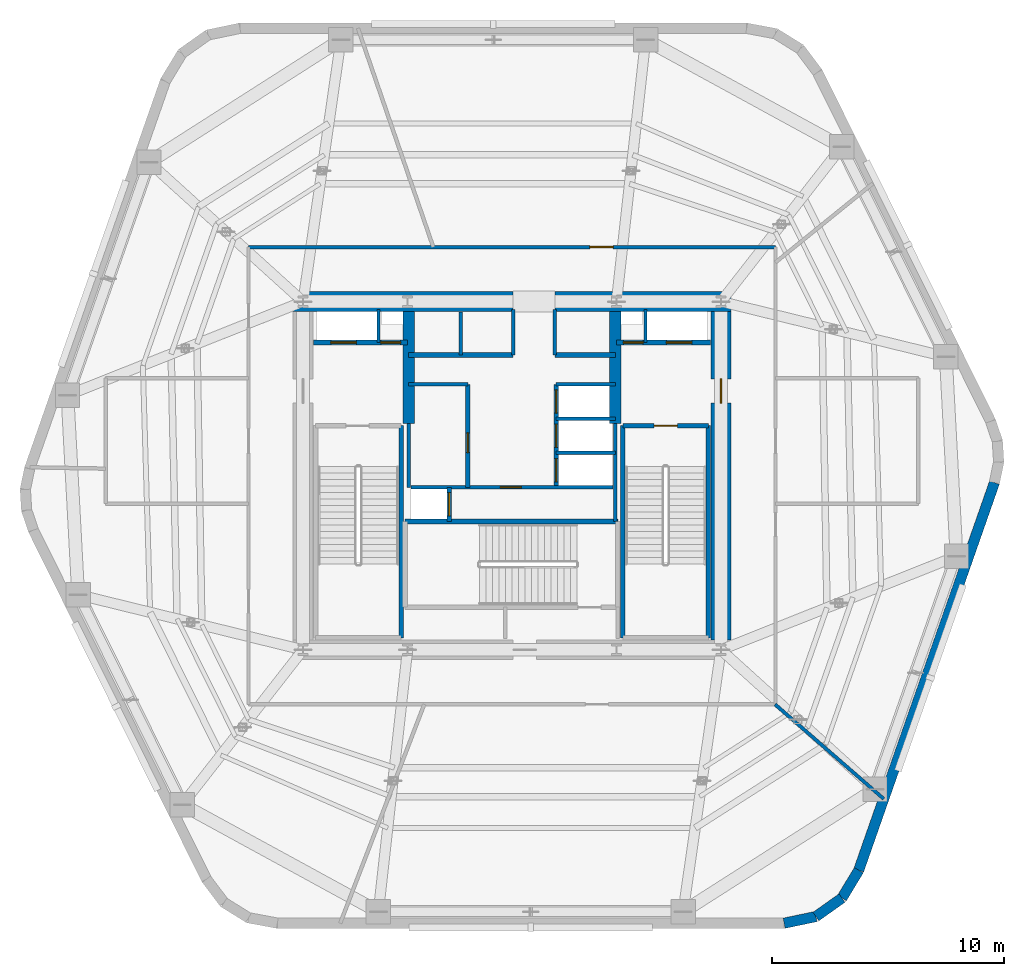
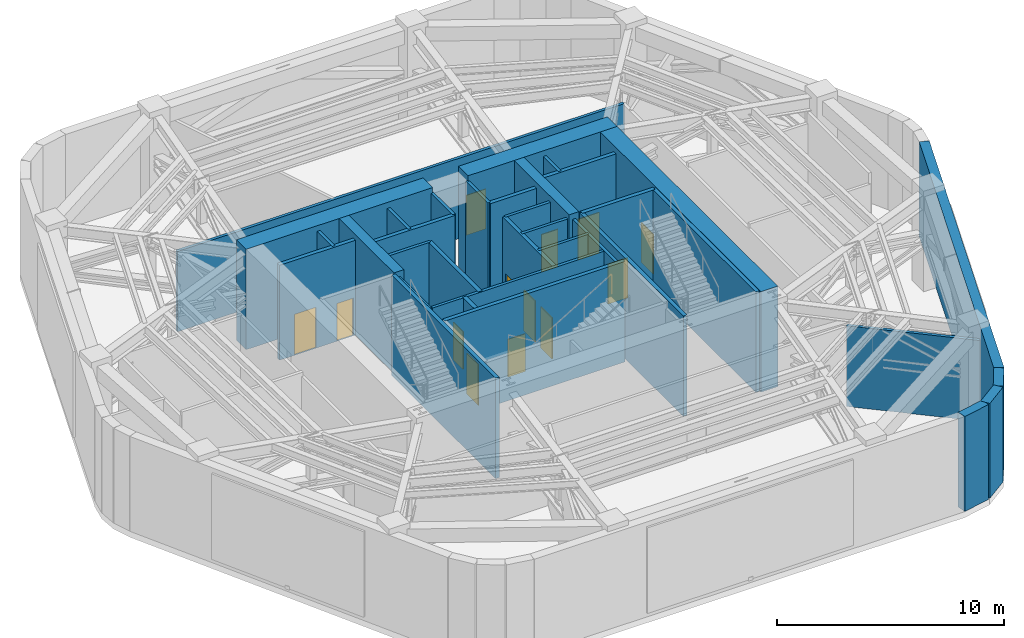
# One storey, part 6 of 10: 35 walls, 13 doors, 13 openings.
"""IFC4 building model written with IfcOpenShell, lengths in metres."""

from ifc_helpers import new_model, si_unit, direction, frame, frame_2d, origin, place, context, subcontext, project, spatial, rectangle, extrude, material, layer, layer_set, type_object, element, fill, save


model = new_model("IFC4")

# Units and contexts
model_context = context("Model", 3, precision=1e-05, world=origin(), true_north=direction((0.0, 1.0)))
body_context = subcontext(model_context, "Body", "Model", "MODEL_VIEW")
ifc_project = project(units=[si_unit("LENGTHUNIT", "METRE"), si_unit("AREAUNIT", "SQUARE_METRE"), si_unit("VOLUMEUNIT", "CUBIC_METRE"), si_unit("PLANEANGLEUNIT", "RADIAN"), si_unit("MASSUNIT", "GRAM", prefix="KILO")], contexts=[model_context])

# Site, building, storey
site_placement = place(None, origin())
site = spatial("IfcSite", under=ifc_project, at=site_placement, CompositionType="ELEMENT")
building_placement = place(site_placement, origin())
building = spatial("IfcBuilding", under=site, at=building_placement, Name="Kilnhurst Terrace Hotel", CompositionType="ELEMENT")
storey_placement = place(building_placement, frame((0.0, 0.0, 170.199951171875)))
storey = spatial("IfcBuildingStorey", under=building, at=storey_placement, Name="L42", CompositionType="ELEMENT", Elevation=170.199951171875)

# Walls
ifc_material_1 = material(Name="Precast concrete C40/50", Category="concrete")
ifc_layer_1 = layer(ifc_material_1, 0.449951171875, Name="Precast concrete C40/50")
ifc_layer_set_1 = layer_set([ifc_layer_1], Name="Precast concrete C40/50")
wall_type_1 = type_object("IfcWallType", Name="WL-BRK-450", PredefinedType="SOLIDWALL", material=ifc_layer_set_1)
wall_1_placement = place(storey_placement, frame((11.720458984375, -19.27490234375, 0.0), z_axis=(0.0, 0.0, 1.0), x_axis=(0.97893106758, 0.204191001093, 0.0)))
element("IfcWall", 1, at=wall_1_placement, inside=storey, type_object=wall_type_1, Name="L42 Rounded Corner Brick Wall C2.1", PredefinedType="SOLIDWALL", context=body_context, shape_type="SweptSolid", body=[
    extrude(rectangle(XDim=1.400146484375, YDim=0.449951171875, at=frame_2d((0.7001953125, 0.0))), origin(), (0.0, 0.0, 1.0), 5.10009765625),
])
wall_2_placement = place(storey_placement, frame((13.091064453125, -18.989013671875, 0.0), z_axis=(0.0, 0.0, 1.0), x_axis=(0.815574637848, 0.578651890258, 0.0)))
element("IfcWall", 2, at=wall_2_placement, inside=storey, type_object=wall_type_1, Name="L42 Rounded Corner Brick Wall C2.2", PredefinedType="SOLIDWALL", context=body_context, shape_type="SweptSolid", body=[
    extrude(rectangle(XDim=1.376708984375, YDim=0.449951171875, at=frame_2d((0.6884765625, 0.0))), origin(), (0.0, 0.0, 1.0), 5.10009765625),
])
wall_3_placement = place(storey_placement, frame((14.2138671875, -18.1923828125, 0.0), z_axis=(0.0, 0.0, 1.0), x_axis=(0.516340945502, 0.856383108193, 0.0)))
element("IfcWall", 3, at=wall_3_placement, inside=storey, type_object=wall_type_1, Name="L42 Rounded Corner Brick Wall C2.3", PredefinedType="SOLIDWALL", context=body_context, shape_type="SweptSolid", body=[
    extrude(rectangle(XDim=1.400146484375, YDim=0.449951171875, at=frame_2d((0.7001953125, 0.0))), origin(), (0.0, 0.0, 1.0), 5.10009765625),
])
wall_4_placement = place(storey_placement, frame((14.936767578125, -16.993408203125, 0.0), z_axis=(0.0, 0.0, 1.0), x_axis=(0.330431575061, 0.943829949834, 0.0)))
element("IfcWall", 4, at=wall_4_placement, inside=storey, type_object=wall_type_1, Name="L42 Exterior Brick Facade Wall F2", PredefinedType="SOLIDWALL", context=body_context, shape_type="SweptSolid", body=[
    extrude(rectangle(XDim=17.68896484375, YDim=0.449951171875, at=frame_2d((8.844482421875, 0.0))), origin(), (0.0, 0.0, 1.0), 5.10009765625),
])

# Wall, opening, door
ifc_material_2 = material(Name="Acoustic Double-Gypsum Corridor Partition Assembly")
ifc_layer_2 = layer(ifc_material_2, 0.14990234375, Name="Acoustic Double-Gypsum Corridor Partition Assembly")
ifc_layer_set_2 = layer_set([ifc_layer_2], Name="Acoustic Double-Gypsum Corridor Partition Assembly")
wall_type_2 = type_object("IfcWallType", Name="WL-COR-150", PredefinedType="PARTITIONING", material=ifc_layer_set_2)
wall_5_placement = place(storey_placement, frame((-11.35009765625, 9.85009765625, 0.0), z_axis=(0.0, 0.0, 1.0), x_axis=(1.0, 0.0, 0.0)))
wall_5 = element("IfcWall", 5, at=wall_5_placement, inside=storey, type_object=wall_type_2, Name="L42 Interior Wall WL-L42-COR-02", PredefinedType="PARTITIONING", context=body_context, shape_type="SweptSolid", body=[
    extrude(rectangle(XDim=22.7001953125, YDim=0.14990234375, at=frame_2d((11.35009765625, 0.0))), origin(), (0.0, 0.0, 1.0), 4.31640625),
])
opening_1_placement = place(wall_5_placement, frame((14.701904296875, 0.0, 0.0)))
opening_1 = element("IfcOpeningElement", 6, at=opening_1_placement, cuts=wall_5, Name="Opening D-90B", PredefinedType="OPENING", context=body_context, shape_type="SweptSolid", body=[
    extrude(rectangle(XDim=1.0, YDim=2.14990234375, at=frame_2d((0.5, 1.074951171875))), frame((0.0, 0.0849609375, 0.0), z_axis=(0.0, -1.0, 0.0), x_axis=(1.0, 0.0, 0.0)), (0.0, 0.0, 1.0), 0.169921875),
])
ifc_material_3 = material(Name="Painted Hollow Metal Steel ASTM A36 Fire Door", Category="steel")
door_type_1 = type_object("IfcDoorType", Name="DR-FD90-1000", OperationType="NOTDEFINED", PredefinedType="DOOR", material=ifc_material_3)
door_1_placement = place(opening_1_placement, origin())
door_1 = element("IfcDoor", 7, at=door_1_placement, inside=storey, type_object=door_type_1, Name="L42 Chiller and Cooling Heat Exchanger Plant Room Door", OperationType="SINGLE_SWING_LEFT", OverallHeight=2.14990234375, OverallWidth=1.0, PredefinedType="DOOR", context=body_context, shape_type="SweptSolid", body=[
    extrude(rectangle(XDim=1.0, YDim=2.14990234375, at=frame_2d((0.5, 1.074951171875))), frame((0.0, 0.02490234375, 0.0), z_axis=(0.0, -1.0, 0.0), x_axis=(1.0, 0.0, 0.0)), (0.0, 0.0, 1.0), 0.050048828125),
])
fill(opening_1, door_1)

# Walls
wall_6_placement = place(storey_placement, frame((11.3310546875, -9.85009765625, 0.0), z_axis=(0.0, 0.0, 1.0), x_axis=(0.754718202942, -0.656049109555, 0.0)))
element("IfcWall", 8, at=wall_6_placement, inside=storey, type_object=wall_type_2, Name="L42 Interior Wall WL-L42-PDIV-5-1", PredefinedType="PARTITIONING", context=body_context, shape_type="SweptSolid", body=[
    extrude(rectangle(XDim=6.203125, YDim=0.14990234375, at=frame_2d((3.1015625, 0.0))), origin(), (0.0, 0.0, 1.0), 4.340087890625),
])
ifc_material_4 = material(Name="Concrete C80/95", Category="concrete")
ifc_layer_3 = layer(ifc_material_4, 0.85009765625, Name="Concrete C80/95")
ifc_layer_set_3 = layer_set([ifc_layer_3], Name="Concrete C80/95")
wall_type_3 = type_object("IfcWallType", Name="WL-CORE-850", PredefinedType="SHEAR", material=ifc_layer_set_3)
wall_7_placement = place(storey_placement, frame((-9.425048828125, 7.5, 0.0), z_axis=(0.0, 0.0, 1.0), x_axis=(1.0, 0.0, 0.0)))
element("IfcWall", 9, at=wall_7_placement, inside=storey, type_object=wall_type_3, Name="L42 Core North West Shear Wall", PredefinedType="SHEAR", context=body_context, shape_type="SweptSolid", body=[
    extrude(rectangle(XDim=9.47509765625, YDim=0.85009765625, at=frame_2d((4.737548828125, 0.0))), origin(), (0.0, 0.0, 1.0), 5.400146484375),
])
wall_8_placement = place(storey_placement, frame((1.85009765625, 7.5, 0.0), z_axis=(0.0, 0.0, 1.0), x_axis=(1.0, 0.0, 0.0)))
element("IfcWall", 10, at=wall_8_placement, inside=storey, type_object=wall_type_3, Name="L42 Core North East Shear Wall", PredefinedType="SHEAR", context=body_context, shape_type="SweptSolid", body=[
    extrude(rectangle(XDim=7.574951171875, YDim=0.85009765625, at=frame_2d((3.78759765625, 0.0))), origin(), (0.0, 0.0, 1.0), 5.400146484375),
])

# Wall, opening, door
wall_9_placement = place(storey_placement, frame((9.0, -7.074951171875, 0.0), z_axis=(0.0, 0.0, 1.0), x_axis=(0.0, 1.0, 0.0)))
wall_9 = element("IfcWall", 11, at=wall_9_placement, inside=storey, type_object=wall_type_3, Name="L42 Core East Shear Wall", PredefinedType="SHEAR", context=body_context, shape_type="SweptSolid", body=[
    extrude(rectangle(XDim=14.14990234375, YDim=0.85009765625, at=frame_2d((7.074951171875, 0.0))), origin(), (0.0, 0.0, 1.0), 5.400146484375),
])
opening_2_placement = place(wall_9_placement, frame((10.199951171875, 0.0, 0.0)))
opening_2 = element("IfcOpeningElement", 12, at=opening_2_placement, cuts=wall_9, Name="Opening D-90A", PredefinedType="OPENING", context=body_context, shape_type="SweptSolid", body=[
    extrude(rectangle(XDim=1.050048828125, YDim=2.14990234375, at=frame_2d((0.52490234375, 1.074951171875))), frame((0.0, 0.43505859375, 0.0), z_axis=(0.0, -1.0, 0.0), x_axis=(1.0, 0.0, 0.0)), (0.0, 0.0, 1.0), 0.8701171875),
])
door_type_2 = type_object("IfcDoorType", Name="DR-FD90-1050", OperationType="NOTDEFINED", PredefinedType="DOOR", material=ifc_material_3)
door_2_placement = place(opening_2_placement, origin())
door_2 = element("IfcDoor", 13, at=door_2_placement, inside=storey, type_object=door_type_2, Name="L42 East Firefighting Lobby Door", OperationType="SINGLE_SWING_LEFT", OverallHeight=2.14990234375, OverallWidth=1.050048828125, PredefinedType="DOOR", context=body_context, shape_type="SweptSolid", body=[
    extrude(rectangle(XDim=1.050048828125, YDim=2.14990234375, at=frame_2d((0.52490234375, 1.074951171875))), frame((0.0, 0.02490234375, 0.0), z_axis=(0.0, -1.0, 0.0), x_axis=(1.0, 0.0, 0.0)), (0.0, 0.0, 1.0), 0.050048828125),
])
fill(opening_2, door_2)

# Walls
ifc_material_5 = material(Name="Concrete C60/75", Category="concrete")
ifc_layer_4 = layer(ifc_material_5, 0.5, Name="Concrete C60/75")
ifc_layer_set_4 = layer_set([ifc_layer_4], Name="Concrete C60/75")
wall_type_4 = type_object("IfcWallType", Name="WL-CORE-WEB-500", PredefinedType="SHEAR", material=ifc_layer_set_4)
for number, where, z_axis, x_axis, name in (
    (14, (-4.449951171875, 2.25, 0.0), (0.0, 0.0, 1.0), (0.0, 1.0, 0.0), "L42 Core Internal West Shear Web"),
    (15, (4.449951171875, 2.25, 0.0), (0.0, 0.0, 1.0), (0.0, 1.0, 0.0), "L42 Core Internal East Shear Web"),
):
    element("IfcWall", number, at=place(storey_placement, frame(where, z_axis=z_axis, x_axis=x_axis)), inside=storey, type_object=wall_type_4, Name=name, PredefinedType="SHEAR", context=body_context, shape_type="SweptSolid", body=[
        extrude(rectangle(XDim=4.824951171875, YDim=0.5, at=frame_2d((2.41259765625, 0.0))), origin(), (0.0, 0.0, 1.0), 5.400146484375),
    ])
ifc_material_6 = material(Name="Fire-Rated Gypsum Shaftliner Assembly")
ifc_layer_5 = layer(ifc_material_6, 0.14990234375, Name="Fire-Rated Gypsum Shaftliner Assembly")
ifc_layer_set_5 = layer_set([ifc_layer_5], Name="Fire-Rated Gypsum Shaftliner Assembly")
wall_type_5 = type_object("IfcWallType", Name="WL-SHAFT-150", PredefinedType="PARTITIONING", material=ifc_layer_set_5)
for number, where, z_axis, x_axis, name in (
    (16, (-5.75, 5.739990234375, 0.0), (0.0, 0.0, 1.0), (0.0, 1.0, 0.0), "L42 Interior Wall WL-L42-RIS1-DIV"),
    (17, (5.75, 5.739990234375, 0.0), (0.0, 0.0, 1.0), (0.0, 1.0, 0.0), "L42 Interior Wall WL-L42-RIS2-DIV"),
):
    element("IfcWall", number, at=place(storey_placement, frame(where, z_axis=z_axis, x_axis=x_axis)), inside=storey, type_object=wall_type_5, Name=name, PredefinedType="PARTITIONING", context=body_context, shape_type="SweptSolid", body=[
        extrude(rectangle(XDim=1.409912109375, YDim=0.14990234375, at=frame_2d((0.705078125, 0.0))), origin(), (0.0, 0.0, 1.0), 5.10009765625),
    ])
wall_10_placement = place(storey_placement, frame((-2.199951171875, 5.199951171875, 0.0), z_axis=(0.0, 0.0, 1.0), x_axis=(0.0, 1.0, 0.0)))
element("IfcWall", 18, at=wall_10_placement, inside=storey, type_object=wall_type_5, Name="L42 Interior Wall WL-L42-HR-DIV1", PredefinedType="PARTITIONING", context=body_context, shape_type="SweptSolid", body=[
    extrude(rectangle(XDim=1.85009765625, YDim=0.14990234375, at=frame_2d((0.925048828125, 0.0))), origin(), (0.0, 0.0, 1.0), 5.10009765625),
])
for number, where, z_axis, x_axis, name in (
    (19, (0.050048828125, 5.199951171875, 0.0), (0.0, 0.0, 1.0), (0.0, 1.0, 0.0), "L42 Interior Wall WL-L42-HR-PORTAL-W"),
    (20, (1.85009765625, 5.199951171875, 0.0), (0.0, 0.0, 1.0), (0.0, 1.0, 0.0), "L42 Interior Wall WL-L42-HR-PORTAL-E"),
):
    element("IfcWall", number, at=place(storey_placement, frame(where, z_axis=z_axis, x_axis=x_axis)), inside=storey, type_object=wall_type_5, Name=name, PredefinedType="PARTITIONING", context=body_context, shape_type="SweptSolid", body=[
        extrude(rectangle(XDim=1.949951171875, YDim=0.14990234375, at=frame_2d((0.97509765625, 0.0))), origin(), (0.0, 0.0, 1.0), 5.10009765625),
    ])
wall_11_placement = place(storey_placement, frame((-4.449951171875, -0.5, 0.0), z_axis=(0.0, 0.0, 1.0), x_axis=(0.0, 1.0, 0.0)))
element("IfcWall", 21, at=wall_11_placement, inside=storey, type_object=wall_type_5, Name="L42 Interior Wall WL-L42-XLOB-W", PredefinedType="PARTITIONING", context=body_context, shape_type="SweptSolid", body=[
    extrude(rectangle(XDim=2.75, YDim=0.14990234375, at=frame_2d((1.375, 0.0))), origin(), (0.0, 0.0, 1.0), 5.10009765625),
])
wall_12_placement = place(storey_placement, frame((4.449951171875, -1.971923828125, 0.0), z_axis=(0.0, 0.0, 1.0), x_axis=(0.0, 1.0, 0.0)))
element("IfcWall", 22, at=wall_12_placement, inside=storey, type_object=wall_type_5, Name="L42 Interior Wall WL-L42-XLOB-E", PredefinedType="PARTITIONING", context=body_context, shape_type="SweptSolid", body=[
    extrude(rectangle(XDim=4.221923828125, YDim=0.14990234375, at=frame_2d((2.11083984375, 0.0))), origin(), (0.0, 0.0, 1.0), 5.10009765625),
])
for number, where, z_axis, x_axis, name in (
    (23, (-4.449951171875, 3.93994140625, 0.0), (0.0, 0.0, 1.0), (1.0, 0.0, 0.0), "L42 Interior Wall WL-L42-LR-NORTH"),
    (24, (1.89990234375, 3.93994140625, 0.0), (0.0, 0.0, 1.0), (1.0, 0.0, 0.0), "L42 Interior Wall WL-L42-MR-NORTH"),
    (25, (1.89990234375, 0.97998046875, 0.0), (0.0, 0.0, 1.0), (1.0, 0.0, 0.0), "L42 Interior Wall WL-L42-MR-D1"),
    (26, (1.89990234375, 2.4599609375, 0.0), (0.0, 0.0, 1.0), (1.0, 0.0, 0.0), "L42 Interior Wall WL-L42-MR-D2"),
):
    element("IfcWall", number, at=place(storey_placement, frame(where, z_axis=z_axis, x_axis=x_axis)), inside=storey, type_object=wall_type_5, Name=name, PredefinedType="PARTITIONING", context=body_context, shape_type="SweptSolid", body=[
        extrude(rectangle(XDim=2.550048828125, YDim=0.14990234375, at=frame_2d((1.27490234375, 0.0))), origin(), (0.0, 0.0, 1.0), 5.10009765625),
    ])

# Wall, opening, door
wall_13_placement = place(storey_placement, frame((-4.360107421875, -0.489990234375, 0.0), z_axis=(0.0, 0.0, 1.0), x_axis=(1.0, 0.0, 0.0)))
wall_13 = element("IfcWall", 27, at=wall_13_placement, inside=storey, type_object=wall_type_5, Name="L42 Interior Wall WL-L42-BOH-N", PredefinedType="PARTITIONING", context=body_context, shape_type="SweptSolid", body=[
    extrude(rectangle(XDim=8.72021484375, YDim=0.14990234375, at=frame_2d((4.360107421875, 0.0))), origin(), (0.0, 0.0, 1.0), 5.10009765625),
])
opening_3_placement = place(wall_13_placement, frame((3.860107421875, 0.0, 0.0)))
opening_3 = element("IfcOpeningElement", 28, at=opening_3_placement, cuts=wall_13, Name="Opening D-60C", PredefinedType="OPENING", context=body_context, shape_type="SweptSolid", body=[
    extrude(rectangle(XDim=0.89990234375, YDim=2.030029296875, at=frame_2d((0.449951171875, 1.01513671875))), frame((0.0, 0.0849609375, 0.0), z_axis=(0.0, -1.0, 0.0), x_axis=(1.0, 0.0, 0.0)), (0.0, 0.0, 1.0), 0.169921875),
])
ifc_material_7 = material(Name="Painted Solid-Core Service Fire Door")
door_type_3 = type_object("IfcDoorType", Name="DR-FD60-900", OperationType="NOTDEFINED", PredefinedType="DOOR", material=ifc_material_7)
door_3_placement = place(opening_3_placement, origin())
door_3 = element("IfcDoor", 29, at=door_3_placement, inside=storey, type_object=door_type_3, Name="L42 Housekeeping Laundry Door", OperationType="SINGLE_SWING_LEFT", OverallHeight=2.030029296875, OverallWidth=0.89990234375, PredefinedType="DOOR", context=body_context, shape_type="SweptSolid", body=[
    extrude(rectangle(XDim=0.89990234375, YDim=2.030029296875, at=frame_2d((0.449951171875, 1.01513671875))), frame((0.0, 0.02490234375, 0.0), z_axis=(0.0, -1.0, 0.0), x_axis=(1.0, 0.0, 0.0)), (0.0, 0.0, 1.0), 0.050048828125),
])
fill(opening_3, door_3)

# Wall, openings, doors
ifc_material_8 = material(Name="Autoclaved Aerated Concrete C30/37 and Gypsum Shaft Assembly", Category="concrete")
ifc_layer_6 = layer(ifc_material_8, 0.199951171875, Name="Autoclaved Aerated Concrete C30/37 and Gypsum Shaft Assembly")
ifc_layer_set_6 = layer_set([ifc_layer_6], Name="Autoclaved Aerated Concrete C30/37 and Gypsum Shaft Assembly")
wall_type_6 = type_object("IfcWallType", Name="WL-SHAFT-200", PredefinedType="PARTITIONING", material=ifc_layer_set_6)
wall_14_placement = place(storey_placement, frame((-8.550048828125, 5.739990234375, 0.0), z_axis=(0.0, 0.0, 1.0), x_axis=(1.0, 0.0, 0.0)))
wall_14 = element("IfcWall", 30, at=wall_14_placement, inside=storey, type_object=wall_type_6, Name="L42 Interior Wall WL-L42-FSAE1-S", PredefinedType="PARTITIONING", context=body_context, shape_type="SweptSolid", body=[
    extrude(rectangle(XDim=4.050048828125, YDim=0.199951171875, at=frame_2d((2.02490234375, 0.0))), origin(), (0.0, 0.0, 1.0), 5.10009765625),
])
opening_4_placement = place(wall_14_placement, frame((0.75, 0.0, 0.0)))
opening_4 = element("IfcOpeningElement", 31, at=opening_4_placement, cuts=wall_14, Name="Opening LD-F1", PredefinedType="OPENING", context=body_context, shape_type="SweptSolid", body=[
    extrude(rectangle(XDim=1.10009765625, YDim=2.199951171875, at=frame_2d((0.550048828125, 1.10009765625))), frame((0.0, 0.10986328125, 0.0), z_axis=(0.0, -1.0, 0.0), x_axis=(1.0, 0.0, 0.0)), (0.0, 0.0, 1.0), 0.219970703125),
])
opening_5_placement = place(wall_14_placement, frame((2.89990234375, 0.0, 0.0)))
opening_5 = element("IfcOpeningElement", 32, at=opening_5_placement, cuts=wall_14, Name="Opening D-60D", PredefinedType="OPENING", context=body_context, shape_type="SweptSolid", body=[
    extrude(rectangle(XDim=0.85009765625, YDim=2.030029296875, at=frame_2d((0.425048828125, 1.01513671875))), frame((0.0, 0.10986328125, 0.0), z_axis=(0.0, -1.0, 0.0), x_axis=(1.0, 0.0, 0.0)), (0.0, 0.0, 1.0), 0.219970703125),
])
ifc_material_9 = material(Name="Painted Hollow Metal Steel ASTM A36 Riser Door", Category="steel")
door_type_4 = type_object("IfcDoorType", Name="DR-FD60-850", OperationType="NOTDEFINED", PredefinedType="DOOR", material=ifc_material_9)
door_4_placement = place(opening_5_placement, origin())
door_4 = element("IfcDoor", 33, at=door_4_placement, inside=storey, type_object=door_type_4, Name="L42 Electrical Riser Door", OperationType="SINGLE_SWING_LEFT", OverallHeight=2.030029296875, OverallWidth=0.85009765625, PredefinedType="DOOR", context=body_context, shape_type="SweptSolid", body=[
    extrude(rectangle(XDim=0.85009765625, YDim=2.030029296875, at=frame_2d((0.425048828125, 1.01513671875))), frame((0.0, 0.02490234375, 0.0), z_axis=(0.0, -1.0, 0.0), x_axis=(1.0, 0.0, 0.0)), (0.0, 0.0, 1.0), 0.050048828125),
])
fill(opening_5, door_4)
ifc_material_10 = material(Name="Bronze-Anodized Stainless Steel AISI 316L Sliding Door", Category="steel")
door_type_5 = type_object("IfcDoorType", Name="DR-LIFT-1100", OperationType="NOTDEFINED", PredefinedType="DOOR", material=ifc_material_10)
door_5_placement = place(opening_4_placement, origin())
door_5 = element("IfcDoor", 34, at=door_5_placement, inside=storey, type_object=door_type_5, Name="L42 FSAE-1 Landing Door", OperationType="SLIDING_TO_LEFT", OverallHeight=2.199951171875, OverallWidth=1.10009765625, PredefinedType="DOOR", context=body_context, shape_type="SweptSolid", body=[
    extrude(rectangle(XDim=1.10009765625, YDim=2.199951171875, at=frame_2d((0.550048828125, 1.10009765625))), frame((0.0, 0.02490234375, 0.0), z_axis=(0.0, -1.0, 0.0), x_axis=(1.0, 0.0, 0.0)), (0.0, 0.0, 1.0), 0.050048828125),
])
fill(opening_4, door_5)

wall_15_placement = place(storey_placement, frame((4.5, 5.739990234375, 0.0), z_axis=(0.0, 0.0, 1.0), x_axis=(1.0, 0.0, 0.0)))
wall_15 = element("IfcWall", 35, at=wall_15_placement, inside=storey, type_object=wall_type_6, Name="L42 Interior Wall WL-L42-FSAE2-S", PredefinedType="PARTITIONING", context=body_context, shape_type="SweptSolid", body=[
    extrude(rectangle(XDim=4.050048828125, YDim=0.199951171875, at=frame_2d((2.02490234375, 0.0))), origin(), (0.0, 0.0, 1.0), 5.10009765625),
])
opening_6_placement = place(wall_15_placement, frame((0.300048828125, 0.0, 0.0)))
opening_6 = element("IfcOpeningElement", 36, at=opening_6_placement, cuts=wall_15, Name="Opening D-60D", PredefinedType="OPENING", context=body_context, shape_type="SweptSolid", body=[
    extrude(rectangle(XDim=0.85009765625, YDim=2.030029296875, at=frame_2d((0.425048828125, 1.01513671875))), frame((0.0, 0.10986328125, 0.0), z_axis=(0.0, -1.0, 0.0), x_axis=(1.0, 0.0, 0.0)), (0.0, 0.0, 1.0), 0.219970703125),
])
opening_7_placement = place(wall_15_placement, frame((2.14990234375, 0.0, 0.0)))
opening_7 = element("IfcOpeningElement", 37, at=opening_7_placement, cuts=wall_15, Name="Opening LD-F2", PredefinedType="OPENING", context=body_context, shape_type="SweptSolid", body=[
    extrude(rectangle(XDim=1.10009765625, YDim=2.199951171875, at=frame_2d((0.550048828125, 1.10009765625))), frame((0.0, 0.10986328125, 0.0), z_axis=(0.0, -1.0, 0.0), x_axis=(1.0, 0.0, 0.0)), (0.0, 0.0, 1.0), 0.219970703125),
])
door_6_placement = place(opening_6_placement, origin())
door_6 = element("IfcDoor", 38, at=door_6_placement, inside=storey, type_object=door_type_4, Name="L42 Telecom Riser Door", OperationType="SINGLE_SWING_RIGHT", OverallHeight=2.030029296875, OverallWidth=0.85009765625, PredefinedType="DOOR", context=body_context, shape_type="SweptSolid", body=[
    extrude(rectangle(XDim=0.85009765625, YDim=2.030029296875, at=frame_2d((0.425048828125, 1.01513671875))), frame((0.0, 0.02490234375, 0.0), z_axis=(0.0, -1.0, 0.0), x_axis=(1.0, 0.0, 0.0)), (0.0, 0.0, 1.0), 0.050048828125),
])
fill(opening_6, door_6)
door_7_placement = place(opening_7_placement, origin())
door_7 = element("IfcDoor", 39, at=door_7_placement, inside=storey, type_object=door_type_5, Name="L42 FSAE-2 Landing Door", OperationType="SLIDING_TO_RIGHT", OverallHeight=2.199951171875, OverallWidth=1.10009765625, PredefinedType="DOOR", context=body_context, shape_type="SweptSolid", body=[
    extrude(rectangle(XDim=1.10009765625, YDim=2.199951171875, at=frame_2d((0.550048828125, 1.10009765625))), frame((0.0, 0.02490234375, 0.0), z_axis=(0.0, -1.0, 0.0), x_axis=(1.0, 0.0, 0.0)), (0.0, 0.0, 1.0), 0.050048828125),
])
fill(opening_7, door_7)

# Wall, opening, door
wall_16_placement = place(storey_placement, frame((-2.699951171875, -1.971923828125, 0.0), z_axis=(0.0, 0.0, 1.0), x_axis=(0.0, 1.0, 0.0)))
wall_16 = element("IfcWall", 40, at=wall_16_placement, inside=storey, type_object=wall_type_6, Name="L42 Interior Wall WL-L42-SRV1-E", PredefinedType="PARTITIONING", context=body_context, shape_type="SweptSolid", body=[
    extrude(rectangle(XDim=1.471923828125, YDim=0.199951171875, at=frame_2d((0.73583984375, 0.0))), origin(), (0.0, 0.0, 1.0), 5.10009765625),
])
opening_8_placement = place(wall_16_placement, frame((0.239990234375, 0.0, 0.0)))
opening_8 = element("IfcOpeningElement", 41, at=opening_8_placement, cuts=wall_16, Name="Opening LD-SV", PredefinedType="OPENING", context=body_context, shape_type="SweptSolid", body=[
    extrude(rectangle(XDim=1.0, YDim=2.199951171875, at=frame_2d((0.5, 1.10009765625))), frame((0.0, 0.10986328125, 0.0), z_axis=(0.0, -1.0, 0.0), x_axis=(1.0, 0.0, 0.0)), (0.0, 0.0, 1.0), 0.219970703125),
])
door_type_6 = type_object("IfcDoorType", Name="DR-LIFT-1000", OperationType="NOTDEFINED", PredefinedType="DOOR", material=ifc_material_10)
door_8_placement = place(opening_8_placement, origin())
door_8 = element("IfcDoor", 42, at=door_8_placement, inside=storey, type_object=door_type_6, Name="L42 Service Lift SRV-1 Landing Door", OperationType="SLIDING_TO_LEFT", OverallHeight=2.199951171875, OverallWidth=1.0, PredefinedType="DOOR", context=body_context, shape_type="SweptSolid", body=[
    extrude(rectangle(XDim=1.0, YDim=2.199951171875, at=frame_2d((0.5, 1.10009765625))), frame((0.0, 0.02490234375, 0.0), z_axis=(0.0, -1.0, 0.0), x_axis=(1.0, 0.0, 0.0)), (0.0, 0.0, 1.0), 0.050048828125),
])
fill(opening_8, door_8)

# Walls
wall_17_placement = place(storey_placement, frame((-4.449951171875, 5.199951171875, 0.0), z_axis=(0.0, 0.0, 1.0), x_axis=(1.0, 0.0, 0.0)))
element("IfcWall", 43, at=wall_17_placement, inside=storey, type_object=wall_type_6, Name="L42 Interior Wall WL-L42-HR-SW", PredefinedType="PARTITIONING", context=body_context, shape_type="SweptSolid", body=[
    extrude(rectangle(XDim=4.5, YDim=0.199951171875, at=frame_2d((2.25, 0.0))), origin(), (0.0, 0.0, 1.0), 5.10009765625),
])
wall_18_placement = place(storey_placement, frame((1.85009765625, 5.199951171875, 0.0), z_axis=(0.0, 0.0, 1.0), x_axis=(1.0, 0.0, 0.0)))
element("IfcWall", 44, at=wall_18_placement, inside=storey, type_object=wall_type_6, Name="L42 Interior Wall WL-L42-HR-SE", PredefinedType="PARTITIONING", context=body_context, shape_type="SweptSolid", body=[
    extrude(rectangle(XDim=2.599853515625, YDim=0.199951171875, at=frame_2d((1.2998046875, 0.0))), origin(), (0.0, 0.0, 1.0), 5.10009765625),
])

# Wall, opening, door
wall_19_placement = place(storey_placement, frame((-1.89990234375, -0.5, 0.0), z_axis=(0.0, 0.0, 1.0), x_axis=(0.0, 1.0, 0.0)))
wall_19 = element("IfcWall", 45, at=wall_19_placement, inside=storey, type_object=wall_type_6, Name="L42 Interior Wall WL-L42-LR-FRONT", PredefinedType="PARTITIONING", context=body_context, shape_type="SweptSolid", body=[
    extrude(rectangle(XDim=4.43994140625, YDim=0.199951171875, at=frame_2d((2.219970703125, 0.0))), origin(), (0.0, 0.0, 1.0), 5.10009765625),
])
opening_9_placement = place(wall_19_placement, frame((1.5, 0.0, 0.0)))
opening_9 = element("IfcOpeningElement", 46, at=opening_9_placement, cuts=wall_19, Name="Opening D-60D", PredefinedType="OPENING", context=body_context, shape_type="SweptSolid", body=[
    extrude(rectangle(XDim=0.85009765625, YDim=2.030029296875, at=frame_2d((0.425048828125, 1.01513671875))), frame((0.0, 0.10986328125, 0.0), z_axis=(0.0, -1.0, 0.0), x_axis=(1.0, 0.0, 0.0)), (0.0, 0.0, 1.0), 0.219970703125),
])
door_9_placement = place(opening_9_placement, origin())
door_9 = element("IfcDoor", 47, at=door_9_placement, inside=storey, type_object=door_type_4, Name="L42 Reclaimed Linen Room Door", OperationType="SINGLE_SWING_LEFT", OverallHeight=2.030029296875, OverallWidth=0.85009765625, PredefinedType="DOOR", context=body_context, shape_type="SweptSolid", body=[
    extrude(rectangle(XDim=0.85009765625, YDim=2.030029296875, at=frame_2d((0.425048828125, 1.01513671875))), frame((0.0, 0.02490234375, 0.0), z_axis=(0.0, -1.0, 0.0), x_axis=(1.0, 0.0, 0.0)), (0.0, 0.0, 1.0), 0.050048828125),
])
fill(opening_9, door_9)

# Wall, openings, doors
wall_20_placement = place(storey_placement, frame((1.89990234375, -0.5, 0.0), z_axis=(0.0, 0.0, 1.0), x_axis=(0.0, 1.0, 0.0)))
wall_20 = element("IfcWall", 48, at=wall_20_placement, inside=storey, type_object=wall_type_6, Name="L42 Interior Wall WL-L42-MR-FRONT", PredefinedType="PARTITIONING", context=body_context, shape_type="SweptSolid", body=[
    extrude(rectangle(XDim=4.43994140625, YDim=0.199951171875, at=frame_2d((2.219970703125, 0.0))), origin(), (0.0, 0.0, 1.0), 5.10009765625),
])
opening_10_placement = place(wall_20_placement, frame((0.239990234375, 0.0, 0.0)))
opening_10 = element("IfcOpeningElement", 49, at=opening_10_placement, cuts=wall_20, Name="Opening LD-MR", PredefinedType="OPENING", context=body_context, shape_type="SweptSolid", body=[
    extrude(rectangle(XDim=1.0, YDim=2.199951171875, at=frame_2d((0.5, 1.10009765625))), frame((0.0, 0.10986328125, 0.0), z_axis=(0.0, -1.0, 0.0), x_axis=(1.0, 0.0, 0.0)), (0.0, 0.0, 1.0), 0.219970703125),
])
opening_11_placement = place(wall_20_placement, frame((1.719970703125, 0.0, 0.0)))
opening_11 = element("IfcOpeningElement", 50, at=opening_11_placement, cuts=wall_20, Name="Opening LD-MR", PredefinedType="OPENING", context=body_context, shape_type="SweptSolid", body=[
    extrude(rectangle(XDim=1.0, YDim=2.199951171875, at=frame_2d((0.5, 1.10009765625))), frame((0.0, 0.10986328125, 0.0), z_axis=(0.0, -1.0, 0.0), x_axis=(1.0, 0.0, 0.0)), (0.0, 0.0, 1.0), 0.219970703125),
])
opening_12_placement = place(wall_20_placement, frame((3.199951171875, 0.0, 0.0)))
opening_12 = element("IfcOpeningElement", 51, at=opening_12_placement, cuts=wall_20, Name="Opening LD-MR", PredefinedType="OPENING", context=body_context, shape_type="SweptSolid", body=[
    extrude(rectangle(XDim=1.0, YDim=2.199951171875, at=frame_2d((0.5, 1.10009765625))), frame((0.0, 0.10986328125, 0.0), z_axis=(0.0, -1.0, 0.0), x_axis=(1.0, 0.0, 0.0)), (0.0, 0.0, 1.0), 0.219970703125),
])
door_10_placement = place(opening_10_placement, origin())
door_10 = element("IfcDoor", 52, at=door_10_placement, inside=storey, type_object=door_type_6, Name="L42 Mid Rise Lift MR-1 Landing Door", OperationType="SLIDING_TO_RIGHT", OverallHeight=2.199951171875, OverallWidth=1.0, PredefinedType="DOOR", context=body_context, shape_type="SweptSolid", body=[
    extrude(rectangle(XDim=1.0, YDim=2.199951171875, at=frame_2d((0.5, 1.10009765625))), frame((0.0, 0.02490234375, 0.0), z_axis=(0.0, -1.0, 0.0), x_axis=(1.0, 0.0, 0.0)), (0.0, 0.0, 1.0), 0.050048828125),
])
fill(opening_10, door_10)
door_11_placement = place(opening_11_placement, origin())
door_11 = element("IfcDoor", 53, at=door_11_placement, inside=storey, type_object=door_type_6, Name="L42 Mid Rise Lift MR-2 Landing Door", OperationType="SLIDING_TO_RIGHT", OverallHeight=2.199951171875, OverallWidth=1.0, PredefinedType="DOOR", context=body_context, shape_type="SweptSolid", body=[
    extrude(rectangle(XDim=1.0, YDim=2.199951171875, at=frame_2d((0.5, 1.10009765625))), frame((0.0, 0.02490234375, 0.0), z_axis=(0.0, -1.0, 0.0), x_axis=(1.0, 0.0, 0.0)), (0.0, 0.0, 1.0), 0.050048828125),
])
fill(opening_11, door_11)
door_12_placement = place(opening_12_placement, origin())
door_12 = element("IfcDoor", 54, at=door_12_placement, inside=storey, type_object=door_type_6, Name="L42 Mid Rise Lift MR-3 Landing Door", OperationType="SLIDING_TO_RIGHT", OverallHeight=2.199951171875, OverallWidth=1.0, PredefinedType="DOOR", context=body_context, shape_type="SweptSolid", body=[
    extrude(rectangle(XDim=1.0, YDim=2.199951171875, at=frame_2d((0.5, 1.10009765625))), frame((0.0, 0.02490234375, 0.0), z_axis=(0.0, -1.0, 0.0), x_axis=(1.0, 0.0, 0.0)), (0.0, 0.0, 1.0), 0.050048828125),
])
fill(opening_12, door_12)

# Walls
ifc_material_11 = material(Name="Concrete C50/60", Category="concrete")
ifc_layer_7 = layer(ifc_material_11, 0.199951171875, Name="Concrete C50/60")
ifc_layer_set_7 = layer_set([ifc_layer_7], Name="Concrete C50/60")
wall_type_7 = type_object("IfcWallType", Name="WL-STAIR-RC-200", PredefinedType="SHEAR", material=ifc_layer_set_7)
for number, where, z_axis, x_axis, name in (
    (55, (-4.77197265625, -6.985107421875, 0.0), (0.0, 0.0, 1.0), (0.0, 1.0, 0.0), "L42 Structural Stair Shaft Wall WL-L42-ST1-E"),
    (56, (4.77197265625, -6.985107421875, 0.0), (0.0, 0.0, 1.0), (0.0, 1.0, 0.0), "L42 Structural Stair Shaft Wall WL-L42-ST2-W"),
    (57, (8.4580078125, -6.985107421875, 0.0), (0.0, 0.0, 1.0), (0.0, 1.0, 0.0), "L42 Structural Stair Shaft Wall WL-L42-ST2-E"),
):
    element("IfcWall", number, at=place(storey_placement, frame(where, z_axis=z_axis, x_axis=x_axis)), inside=storey, type_object=wall_type_7, Name=name, PredefinedType="SHEAR", context=body_context, shape_type="SweptSolid", body=[
        extrude(rectangle(XDim=9.14306640625, YDim=0.199951171875, at=frame_2d((4.571533203125, 0.0))), origin(), (0.0, 0.0, 1.0), 5.400146484375),
    ])

# Wall, opening, door
wall_21_placement = place(storey_placement, frame((4.77197265625, 2.157958984375, 0.0), z_axis=(0.0, 0.0, 1.0), x_axis=(1.0, 0.0, 0.0)))
wall_21 = element("IfcWall", 58, at=wall_21_placement, inside=storey, type_object=wall_type_7, Name="L42 Structural Stair Shaft Wall WL-L42-ST2-N", PredefinedType="SHEAR", context=body_context, shape_type="SweptSolid", body=[
    extrude(rectangle(XDim=3.68603515625, YDim=0.199951171875, at=frame_2d((1.843017578125, 0.0))), origin(), (0.0, 0.0, 1.0), 5.400146484375),
])
opening_13_placement = place(wall_21_placement, frame((1.35009765625, 0.0, 0.0)))
opening_13 = element("IfcOpeningElement", 59, at=opening_13_placement, cuts=wall_21, Name="Opening D-90B", PredefinedType="OPENING", context=body_context, shape_type="SweptSolid", body=[
    extrude(rectangle(XDim=1.0, YDim=2.14990234375, at=frame_2d((0.5, 1.074951171875))), frame((0.0, 0.10986328125, 0.0), z_axis=(0.0, -1.0, 0.0), x_axis=(1.0, 0.0, 0.0)), (0.0, 0.0, 1.0), 0.219970703125),
])
door_13_placement = place(opening_13_placement, origin())
door_13 = element("IfcDoor", 60, at=door_13_placement, inside=storey, type_object=door_type_1, Name="L42 Stair ST-2 Door", OperationType="SINGLE_SWING_RIGHT", OverallHeight=2.14990234375, OverallWidth=1.0, PredefinedType="DOOR", context=body_context, shape_type="SweptSolid", body=[
    extrude(rectangle(XDim=1.0, YDim=2.14990234375, at=frame_2d((0.5, 1.074951171875))), frame((0.0, 0.02490234375, 0.0), z_axis=(0.0, -1.0, 0.0), x_axis=(1.0, 0.0, 0.0)), (0.0, 0.0, 1.0), 0.050048828125),
])
fill(opening_13, door_13)

# Wall
wall_22_placement = place(storey_placement, frame((-4.60791015625, -1.971923828125, 0.0), z_axis=(0.0, 0.0, 1.0), x_axis=(1.0, 0.0, 0.0)))
element("IfcWall", 61, at=wall_22_placement, inside=storey, type_object=wall_type_7, Name="L42 Structural Stair Shaft Wall WL-L42-ST3-N", PredefinedType="SHEAR", context=body_context, shape_type="SweptSolid", body=[
    extrude(rectangle(XDim=9.166015625, YDim=0.199951171875, at=frame_2d((4.5830078125, 0.0))), origin(), (0.0, 0.0, 1.0), 5.400146484375),
])

save(model, "model.ifc")
